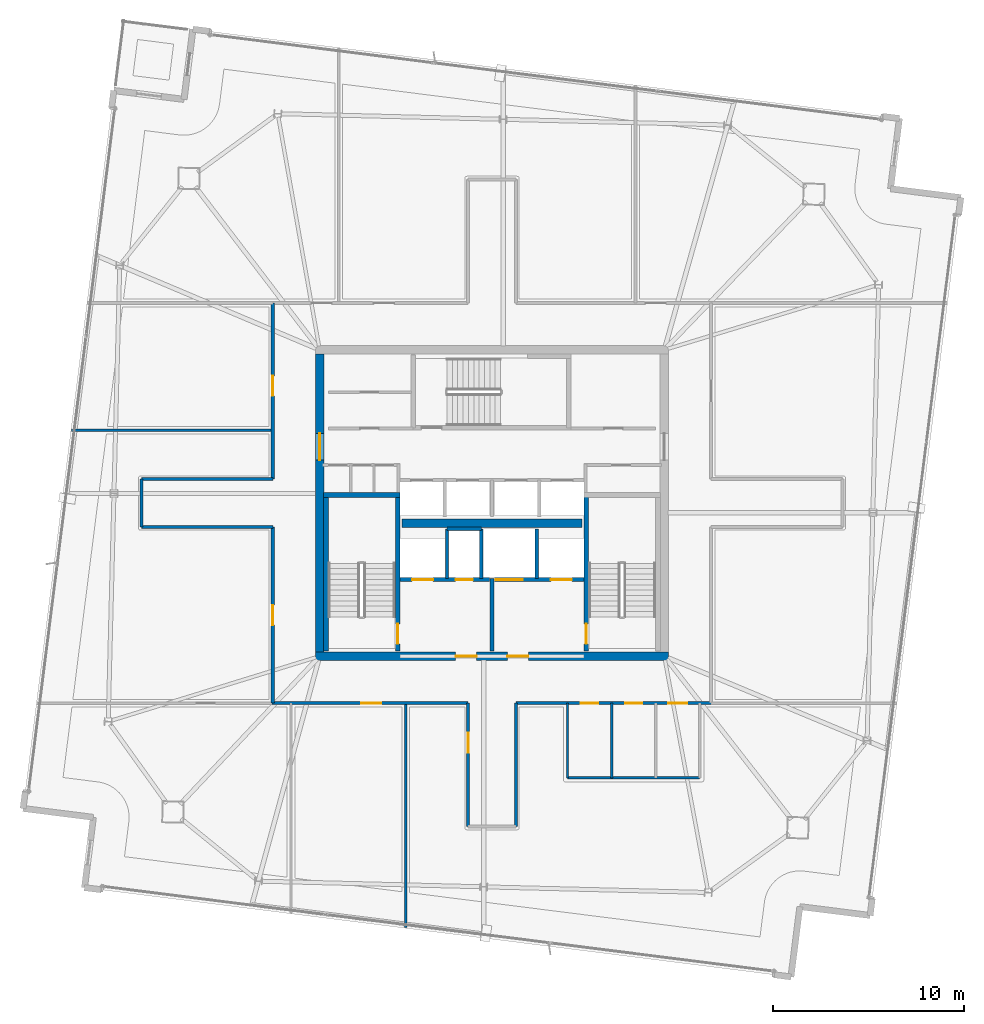
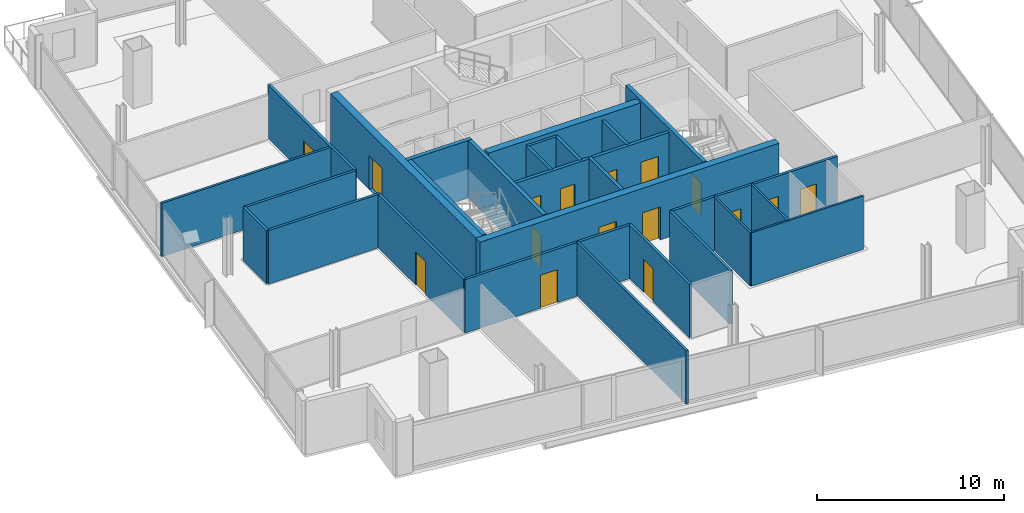
# One storey, part 18 of 23: 28 walls, 16 doors, 16 openings.
"""IFC4 building model written with IfcOpenShell, lengths in metres."""

from ifc_helpers import new_model, si_unit, direction, frame, frame_2d, origin, place, context, subcontext, project, spatial, rectangle, extrude, material, layer, layer_set, type_object, element, fill, save


model = new_model("IFC4")

# Units and contexts
model_context = context("Model", 3, precision=1e-05, world=origin(), true_north=direction((0.0, 1.0)))
body_context = subcontext(model_context, "Body", "Model", "MODEL_VIEW")
ifc_project = project(units=[si_unit("LENGTHUNIT", "METRE"), si_unit("AREAUNIT", "SQUARE_METRE"), si_unit("VOLUMEUNIT", "CUBIC_METRE"), si_unit("PLANEANGLEUNIT", "RADIAN"), si_unit("MASSUNIT", "GRAM", prefix="KILO")], contexts=[model_context])

# Site, building, storey
site_placement = place(None, origin())
site = spatial("IfcSite", under=ifc_project, at=site_placement, CompositionType="ELEMENT")
building_placement = place(site_placement, origin())
building = spatial("IfcBuilding", under=site, at=building_placement, Name="Haldenkirk Collegiate Tower", CompositionType="ELEMENT")
storey_placement = place(building_placement, frame((0.0, 0.0, 306.449951171875)))
storey = spatial("IfcBuildingStorey", under=building, at=storey_placement, Name="L77", CompositionType="ELEMENT", Elevation=306.449951171875)

# Wall, openings, doors
ifc_material_1 = material(Name="Concrete f'c 55 MPa", Category="concrete")
ifc_layer_1 = layer(ifc_material_1, 0.449951171875)
ifc_layer_set_1 = layer_set([ifc_layer_1], Name="Concrete f'c 55 MPa")
wall_type_1 = type_object("IfcWallType", Name="WL-CORE-450", PredefinedType="SHEAR", material=ifc_layer_set_1)
wall_1_placement = place(storey_placement, frame((26.77490234375, 18.0, 0.0), z_axis=(0.0, 0.0, 1.0), x_axis=(1.0, 0.0, 0.0)))
wall_1 = element("IfcWall", 1, at=wall_1_placement, inside=storey, type_object=wall_type_1, Name="L77 central core shear wall S", PredefinedType="SHEAR", context=body_context, shape_type="SweptSolid", body=[
    extrude(rectangle(XDim=18.4501953125, YDim=0.449951171875, at=frame_2d((9.22509765625, 0.0))), origin(), (0.0, 0.0, 1.0), 3.75),
])
opening_1_placement = place(wall_1_placement, frame((7.324951171875, 0.0, 0.0)))
opening_1 = element("IfcOpeningElement", 2, at=opening_1_placement, cuts=wall_1, Name="Opening D-02", PredefinedType="OPENING", context=body_context, shape_type="SweptSolid", body=[
    extrude(rectangle(XDim=1.10009765625, YDim=2.14990234375, at=frame_2d((0.550048828125, 1.074951171875))), frame((0.0, 0.23486328125, 0.0), z_axis=(0.0, -1.0, 0.0), x_axis=(1.0, 0.0, 0.0)), (0.0, 0.0, 1.0), 0.469970703125),
])
opening_2_placement = place(wall_1_placement, frame((10.02490234375, 0.0, 0.0)))
opening_2 = element("IfcOpeningElement", 3, at=opening_2_placement, cuts=wall_1, Name="Opening D-02", PredefinedType="OPENING", context=body_context, shape_type="SweptSolid", body=[
    extrude(rectangle(XDim=1.10009765625, YDim=2.14990234375, at=frame_2d((0.550048828125, 1.074951171875))), frame((0.0, 0.23486328125, 0.0), z_axis=(0.0, -1.0, 0.0), x_axis=(1.0, 0.0, 0.0)), (0.0, 0.0, 1.0), 0.469970703125),
])
ifc_material_2 = material(Name="Galvanized fire-rated hollow steel door", Category="steel")
ifc_layer_2 = layer(ifc_material_2, 0.06005859375)
ifc_layer_set_2 = layer_set([ifc_layer_2], Name="Galvanized fire-rated hollow steel door")
door_type_1 = type_object("IfcDoorType", Name="DR-STAIR-FD90-1100", OperationType="NOTDEFINED", PredefinedType="DOOR", material=ifc_layer_set_2)
door_1_placement = place(opening_1_placement, origin())
door_1 = element("IfcDoor", 4, at=door_1_placement, inside=storey, type_object=door_type_1, Name="L77 Firefighting Lobby 1 door", OperationType="SINGLE_SWING_LEFT", OverallHeight=2.14990234375, OverallWidth=1.10009765625, PredefinedType="DOOR", context=body_context, shape_type="SweptSolid", body=[
    extrude(rectangle(XDim=1.10009765625, YDim=2.14990234375, at=frame_2d((0.550048828125, 1.074951171875))), frame((0.0, 0.02490234375, 0.0), z_axis=(0.0, -1.0, 0.0), x_axis=(1.0, 0.0, 0.0)), (0.0, 0.0, 1.0), 0.050048828125),
])
fill(opening_1, door_1)
door_2_placement = place(opening_2_placement, origin())
door_2 = element("IfcDoor", 5, at=door_2_placement, inside=storey, type_object=door_type_1, Name="L77 Firefighting Lobby 2 door", OperationType="SINGLE_SWING_RIGHT", OverallHeight=2.14990234375, OverallWidth=1.10009765625, PredefinedType="DOOR", context=body_context, shape_type="SweptSolid", body=[
    extrude(rectangle(XDim=1.10009765625, YDim=2.14990234375, at=frame_2d((0.550048828125, 1.074951171875))), frame((0.0, 0.02490234375, 0.0), z_axis=(0.0, -1.0, 0.0), x_axis=(1.0, 0.0, 0.0)), (0.0, 0.0, 1.0), 0.050048828125),
])
fill(opening_2, door_2)

# Wall, opening, door
wall_2_placement = place(storey_placement, frame((27.0, 18.22509765625, 0.0), z_axis=(0.0, 0.0, 1.0), x_axis=(0.0, 1.0, 0.0)))
wall_2 = element("IfcWall", 6, at=wall_2_placement, inside=storey, type_object=wall_type_1, Name="L77 central core shear wall W", PredefinedType="SHEAR", context=body_context, shape_type="SweptSolid", body=[
    extrude(rectangle(XDim=15.5498046875, YDim=0.449951171875, at=frame_2d((7.77490234375, 0.0))), origin(), (0.0, 0.0, 1.0), 3.75),
])
opening_3_placement = place(wall_2_placement, frame((10.014892578125, 0.0, 0.0)))
opening_3 = element("IfcOpeningElement", 7, at=opening_3_placement, cuts=wall_2, Name="Opening D-03", PredefinedType="OPENING", context=body_context, shape_type="SweptSolid", body=[
    extrude(rectangle(XDim=1.39990234375, YDim=2.199951171875, at=frame_2d((0.699951171875, 1.10009765625))), frame((0.0, 0.23486328125, 0.0), z_axis=(0.0, -1.0, 0.0), x_axis=(1.0, 0.0, 0.0)), (0.0, 0.0, 1.0), 0.469970703125),
])
ifc_layer_3 = layer(ifc_material_2, 0.06005859375)
ifc_layer_set_3 = layer_set([ifc_layer_3], Name="Galvanized fire-rated hollow steel door")
door_type_2 = type_object("IfcDoorType", Name="DR-LOBBY-FD90-1400", OperationType="NOTDEFINED", PredefinedType="DOOR", material=ifc_layer_set_3)
door_3_placement = place(opening_3_placement, origin())
door_3 = element("IfcDoor", 8, at=door_3_placement, inside=storey, type_object=door_type_2, Name="L77 west lift lobby portal", OperationType="DOUBLE_DOOR_SINGLE_SWING", OverallHeight=2.199951171875, OverallWidth=1.39990234375, PredefinedType="DOOR", context=body_context, shape_type="SweptSolid", body=[
    extrude(rectangle(XDim=1.39990234375, YDim=2.199951171875, at=frame_2d((0.699951171875, 1.10009765625))), frame((0.0, 0.02490234375, 0.0), z_axis=(0.0, -1.0, 0.0), x_axis=(1.0, 0.0, 0.0)), (0.0, 0.0, 1.0), 0.050048828125),
])
fill(opening_3, door_3)

# Wall
wall_3_placement = place(storey_placement, frame((31.31005859375, 24.949951171875, 0.0), z_axis=(0.0, 0.0, 1.0), x_axis=(1.0, 0.0, 0.0)))
element("IfcWall", 9, at=wall_3_placement, inside=storey, type_object=wall_type_1, Name="L77 central core spine shear wall", PredefinedType="SHEAR", context=body_context, shape_type="SweptSolid", body=[
    extrude(rectangle(XDim=9.3798828125, YDim=0.449951171875, at=frame_2d((4.68994140625, 0.0))), origin(), (0.0, 0.0, 1.0), 3.75),
])

# Wall, opening, door
ifc_material_3 = material(Name="Acoustic fire-rated gypsum partition", Category="concrete")
ifc_layer_4 = layer(ifc_material_3, 0.159912109375)
ifc_layer_set_4 = layer_set([ifc_layer_4], Name="Acoustic fire-rated gypsum partition")
wall_type_2 = type_object("IfcWallType", Name="WL-INT-CORR-160", PredefinedType="PARTITIONING", material=ifc_layer_set_4)
wall_4_placement = place(storey_placement, frame((24.5, 15.550048828125, 0.0), z_axis=(0.0, 0.0, 1.0), x_axis=(1.0, 0.0, 0.0)))
wall_4 = element("IfcWall", 10, at=wall_4_placement, inside=storey, type_object=wall_type_2, Name="L77 interior partition IW-L77-CS1", PredefinedType="PARTITIONING", context=body_context, shape_type="SweptSolid", body=[
    extrude(rectangle(XDim=10.25, YDim=0.159912109375, at=frame_2d((5.125, 0.0))), origin(), (0.0, 0.0, 1.0), 3.489990234375),
])
opening_4_placement = place(wall_4_placement, frame((4.675048828125, 0.0, 0.0)))
opening_4 = element("IfcOpeningElement", 11, at=opening_4_placement, cuts=wall_4, Name="Opening D-09", PredefinedType="OPENING", context=body_context, shape_type="SweptSolid", body=[
    extrude(rectangle(XDim=1.050048828125, YDim=2.14990234375, at=frame_2d((0.52490234375, 1.074951171875))), frame((0.0, 0.08984375, 0.0), z_axis=(0.0, -1.0, 0.0), x_axis=(1.0, 0.0, 0.0)), (0.0, 0.0, 1.0), 0.179931640625),
])
ifc_material_4 = material(Name="Solid-core architectural oak fire door", Category="wood")
ifc_layer_5 = layer(ifc_material_4, 0.06005859375)
ifc_layer_set_5 = layer_set([ifc_layer_5], Name="Solid-core architectural oak fire door")
door_type_3 = type_object("IfcDoorType", Name="DR-INT-FD60-1050", OperationType="NOTDEFINED", PredefinedType="DOOR", material=ifc_layer_set_5)
door_4_placement = place(opening_4_placement, origin())
door_4 = element("IfcDoor", 12, at=door_4_placement, inside=storey, type_object=door_type_3, Name="L77 Academic Counseling Clinic 2 door", OperationType="SINGLE_SWING_RIGHT", OverallHeight=2.14990234375, OverallWidth=1.050048828125, PredefinedType="DOOR", context=body_context, shape_type="SweptSolid", body=[
    extrude(rectangle(XDim=1.050048828125, YDim=2.14990234375, at=frame_2d((0.52490234375, 1.074951171875))), frame((0.0, 0.02490234375, 0.0), z_axis=(0.0, -1.0, 0.0), x_axis=(1.0, 0.0, 0.0)), (0.0, 0.0, 1.0), 0.050048828125),
])
fill(opening_4, door_4)

# Wall, openings, doors
wall_5_placement = place(storey_placement, frame((37.25, 15.550048828125, 0.0), z_axis=(0.0, 0.0, 1.0), x_axis=(1.0, 0.0, 0.0)))
wall_5 = element("IfcWall", 13, at=wall_5_placement, inside=storey, type_object=wall_type_2, Name="L77 interior partition IW-L77-CS2", PredefinedType="PARTITIONING", context=body_context, shape_type="SweptSolid", body=[
    extrude(rectangle(XDim=10.25, YDim=0.159912109375, at=frame_2d((5.125, 0.0))), origin(), (0.0, 0.0, 1.0), 3.489990234375),
])
opening_5_placement = place(wall_5_placement, frame((3.39990234375, 0.0, 0.0)))
opening_5 = element("IfcOpeningElement", 14, at=opening_5_placement, cuts=wall_5, Name="Opening D-13", PredefinedType="OPENING", context=body_context, shape_type="SweptSolid", body=[
    extrude(rectangle(XDim=0.89990234375, YDim=2.14990234375, at=frame_2d((0.449951171875, 1.074951171875))), frame((0.0, 0.08984375, 0.0), z_axis=(0.0, -1.0, 0.0), x_axis=(1.0, 0.0, 0.0)), (0.0, 0.0, 1.0), 0.179931640625),
])
opening_6_placement = place(wall_5_placement, frame((5.699951171875, 0.0, 0.0)))
opening_6 = element("IfcOpeningElement", 15, at=opening_6_placement, cuts=wall_5, Name="Opening D-13", PredefinedType="OPENING", context=body_context, shape_type="SweptSolid", body=[
    extrude(rectangle(XDim=0.89990234375, YDim=2.14990234375, at=frame_2d((0.449951171875, 1.074951171875))), frame((0.0, 0.08984375, 0.0), z_axis=(0.0, -1.0, 0.0), x_axis=(1.0, 0.0, 0.0)), (0.0, 0.0, 1.0), 0.179931640625),
])
opening_7_placement = place(wall_5_placement, frame((7.949951171875, 0.0, 0.0)))
opening_7 = element("IfcOpeningElement", 16, at=opening_7_placement, cuts=wall_5, Name="Opening D-14", PredefinedType="OPENING", context=body_context, shape_type="SweptSolid", body=[
    extrude(rectangle(XDim=1.0, YDim=2.14990234375, at=frame_2d((0.5, 1.074951171875))), frame((0.0, 0.08984375, 0.0), z_axis=(0.0, -1.0, 0.0), x_axis=(1.0, 0.0, 0.0)), (0.0, 0.0, 1.0), 0.179931640625),
])
ifc_layer_6 = layer(ifc_material_4, 0.06005859375)
ifc_layer_set_6 = layer_set([ifc_layer_6], Name="Solid-core architectural oak fire door")
door_type_4 = type_object("IfcDoorType", Name="DR-INT-ACC-1000", OperationType="NOTDEFINED", PredefinedType="DOOR", material=ifc_layer_set_6)
door_5_placement = place(opening_7_placement, origin())
door_5 = element("IfcDoor", 17, at=door_5_placement, inside=storey, type_object=door_type_4, Name="L77 Accessible WC door", OperationType="SINGLE_SWING_RIGHT", OverallHeight=2.14990234375, OverallWidth=1.0, PredefinedType="DOOR", context=body_context, shape_type="SweptSolid", body=[
    extrude(rectangle(XDim=1.0, YDim=2.14990234375, at=frame_2d((0.5, 1.074951171875))), frame((0.0, 0.02490234375, 0.0), z_axis=(0.0, -1.0, 0.0), x_axis=(1.0, 0.0, 0.0)), (0.0, 0.0, 1.0), 0.050048828125),
])
fill(opening_7, door_5)
ifc_layer_7 = layer(ifc_material_4, 0.06005859375)
ifc_layer_set_7 = layer_set([ifc_layer_7], Name="Solid-core architectural oak fire door")
door_type_5 = type_object("IfcDoorType", Name="DR-INT-STD-900", OperationType="NOTDEFINED", PredefinedType="DOOR", material=ifc_layer_set_7)
door_6_placement = place(opening_5_placement, origin())
door_6 = element("IfcDoor", 18, at=door_6_placement, inside=storey, type_object=door_type_5, Name="L77 Male WC door", OperationType="SINGLE_SWING_RIGHT", OverallHeight=2.14990234375, OverallWidth=0.89990234375, PredefinedType="DOOR", context=body_context, shape_type="SweptSolid", body=[
    extrude(rectangle(XDim=0.89990234375, YDim=2.14990234375, at=frame_2d((0.449951171875, 1.074951171875))), frame((0.0, 0.02490234375, 0.0), z_axis=(0.0, -1.0, 0.0), x_axis=(1.0, 0.0, 0.0)), (0.0, 0.0, 1.0), 0.050048828125),
])
fill(opening_5, door_6)
door_7_placement = place(opening_6_placement, origin())
door_7 = element("IfcDoor", 19, at=door_7_placement, inside=storey, type_object=door_type_5, Name="L77 Female WC door", OperationType="SINGLE_SWING_LEFT", OverallHeight=2.14990234375, OverallWidth=0.89990234375, PredefinedType="DOOR", context=body_context, shape_type="SweptSolid", body=[
    extrude(rectangle(XDim=0.89990234375, YDim=2.14990234375, at=frame_2d((0.449951171875, 1.074951171875))), frame((0.0, 0.02490234375, 0.0), z_axis=(0.0, -1.0, 0.0), x_axis=(1.0, 0.0, 0.0)), (0.0, 0.0, 1.0), 0.050048828125),
])
fill(opening_6, door_7)

# Wall, opening, door
wall_6_placement = place(storey_placement, frame((24.550048828125, 15.550048828125, 0.0), z_axis=(0.0, 0.0, 1.0), x_axis=(0.0, 1.0, 0.0)))
wall_6 = element("IfcWall", 20, at=wall_6_placement, inside=storey, type_object=wall_type_2, Name="L77 interior partition IW-L77-CW1", PredefinedType="PARTITIONING", context=body_context, shape_type="SweptSolid", body=[
    extrude(rectangle(XDim=9.199951171875, YDim=0.159912109375, at=frame_2d((4.60009765625, 0.0))), origin(), (0.0, 0.0, 1.0), 3.489990234375),
])
opening_8_placement = place(wall_6_placement, frame((4.074951171875, 0.0, 0.0)))
opening_8 = element("IfcOpeningElement", 21, at=opening_8_placement, cuts=wall_6, Name="Opening D-09", PredefinedType="OPENING", context=body_context, shape_type="SweptSolid", body=[
    extrude(rectangle(XDim=1.050048828125, YDim=2.14990234375, at=frame_2d((0.52490234375, 1.074951171875))), frame((0.0, 0.08984375, 0.0), z_axis=(0.0, -1.0, 0.0), x_axis=(1.0, 0.0, 0.0)), (0.0, 0.0, 1.0), 0.179931640625),
])
door_8_placement = place(opening_8_placement, origin())
door_8 = element("IfcDoor", 22, at=door_8_placement, inside=storey, type_object=door_type_3, Name="L77 Student Wellness Clinic 7 door", OperationType="SINGLE_SWING_LEFT", OverallHeight=2.14990234375, OverallWidth=1.050048828125, PredefinedType="DOOR", context=body_context, shape_type="SweptSolid", body=[
    extrude(rectangle(XDim=1.050048828125, YDim=2.14990234375, at=frame_2d((0.52490234375, 1.074951171875))), frame((0.0, 0.02490234375, 0.0), z_axis=(0.0, -1.0, 0.0), x_axis=(1.0, 0.0, 0.0)), (0.0, 0.0, 1.0), 0.050048828125),
])
fill(opening_8, door_8)

wall_7_placement = place(storey_placement, frame((24.550048828125, 27.25, 0.0), z_axis=(0.0, 0.0, 1.0), x_axis=(0.0, 1.0, 0.0)))
wall_7 = element("IfcWall", 23, at=wall_7_placement, inside=storey, type_object=wall_type_2, Name="L77 interior partition IW-L77-CW2", PredefinedType="PARTITIONING", context=body_context, shape_type="SweptSolid", body=[
    extrude(rectangle(XDim=9.199951171875, YDim=0.159912109375, at=frame_2d((4.60009765625, 0.0))), origin(), (0.0, 0.0, 1.0), 3.489990234375),
])
opening_9_placement = place(wall_7_placement, frame((4.345947265625, 0.0, 0.0)))
opening_9 = element("IfcOpeningElement", 24, at=opening_9_placement, cuts=wall_7, Name="Opening D-09", PredefinedType="OPENING", context=body_context, shape_type="SweptSolid", body=[
    extrude(rectangle(XDim=1.050048828125, YDim=2.14990234375, at=frame_2d((0.52490234375, 1.074951171875))), frame((0.0, 0.08984375, 0.0), z_axis=(0.0, -1.0, 0.0), x_axis=(1.0, 0.0, 0.0)), (0.0, 0.0, 1.0), 0.179931640625),
])
door_9_placement = place(opening_9_placement, origin())
door_9 = element("IfcDoor", 25, at=door_9_placement, inside=storey, type_object=door_type_3, Name="L77 Academic Counseling Clinic 8 door", OperationType="SINGLE_SWING_RIGHT", OverallHeight=2.14990234375, OverallWidth=1.050048828125, PredefinedType="DOOR", context=body_context, shape_type="SweptSolid", body=[
    extrude(rectangle(XDim=1.050048828125, YDim=2.14990234375, at=frame_2d((0.52490234375, 1.074951171875))), frame((0.0, 0.02490234375, 0.0), z_axis=(0.0, -1.0, 0.0), x_axis=(1.0, 0.0, 0.0)), (0.0, 0.0, 1.0), 0.050048828125),
])
fill(opening_9, door_9)

wall_8_placement = place(storey_placement, frame((34.75, 9.10009765625, 0.0), z_axis=(0.0, 0.0, 1.0), x_axis=(0.0, 1.0, 0.0)))
wall_8 = element("IfcWall", 26, at=wall_8_placement, inside=storey, type_object=wall_type_2, Name="L77 interior partition IW-L77-SPW", PredefinedType="PARTITIONING", context=body_context, shape_type="SweptSolid", body=[
    extrude(rectangle(XDim=6.449951171875, YDim=0.159912109375, at=frame_2d((3.22509765625, 0.0))), origin(), (0.0, 0.0, 1.0), 3.489990234375),
])
opening_10_placement = place(wall_8_placement, frame((3.861083984375, 0.0, 0.0)))
opening_10 = element("IfcOpeningElement", 27, at=opening_10_placement, cuts=wall_8, Name="Opening D-09", PredefinedType="OPENING", context=body_context, shape_type="SweptSolid", body=[
    extrude(rectangle(XDim=1.050048828125, YDim=2.14990234375, at=frame_2d((0.52490234375, 1.074951171875))), frame((0.0, 0.08984375, 0.0), z_axis=(0.0, -1.0, 0.0), x_axis=(1.0, 0.0, 0.0)), (0.0, 0.0, 1.0), 0.179931640625),
])
door_10_placement = place(opening_10_placement, origin())
door_10 = element("IfcDoor", 28, at=door_10_placement, inside=storey, type_object=door_type_3, Name="L77 Ergonomics Clinic 3 door", OperationType="SINGLE_SWING_LEFT", OverallHeight=2.14990234375, OverallWidth=1.050048828125, PredefinedType="DOOR", context=body_context, shape_type="SweptSolid", body=[
    extrude(rectangle(XDim=1.050048828125, YDim=2.14990234375, at=frame_2d((0.52490234375, 1.074951171875))), frame((0.0, 0.02490234375, 0.0), z_axis=(0.0, -1.0, 0.0), x_axis=(1.0, 0.0, 0.0)), (0.0, 0.0, 1.0), 0.050048828125),
])
fill(opening_10, door_10)

# Walls
wall_9_placement = place(storey_placement, frame((37.25, 9.10009765625, 0.0), z_axis=(0.0, 0.0, 1.0), x_axis=(0.0, 1.0, 0.0)))
element("IfcWall", 29, at=wall_9_placement, inside=storey, type_object=wall_type_2, Name="L77 interior partition IW-L77-SPE", PredefinedType="PARTITIONING", context=body_context, shape_type="SweptSolid", body=[
    extrude(rectangle(XDim=6.449951171875, YDim=0.159912109375, at=frame_2d((3.22509765625, 0.0))), origin(), (0.0, 0.0, 1.0), 3.489990234375),
])
for number, where, z_axis, x_axis, name in (
    (30, (17.699951171875, 24.75, 0.0), (0.0, 0.0, 1.0), (1.0, 0.0, 0.0), "L77 interior partition IW-L77-WPS"),
    (31, (17.699951171875, 27.25, 0.0), (0.0, 0.0, 1.0), (1.0, 0.0, 0.0), "L77 interior partition IW-L77-WPN"),
):
    element("IfcWall", number, at=place(storey_placement, frame(where, z_axis=z_axis, x_axis=x_axis)), inside=storey, type_object=wall_type_2, Name=name, PredefinedType="PARTITIONING", context=body_context, shape_type="SweptSolid", body=[
        extrude(rectangle(XDim=6.85009765625, YDim=0.159912109375, at=frame_2d((3.425048828125, 0.0))), origin(), (0.0, 0.0, 1.0), 3.489990234375),
    ])
wall_10_placement = place(storey_placement, frame((17.699951171875, 24.75, 0.0), z_axis=(0.0, 0.0, 1.0), x_axis=(0.0, 1.0, 0.0)))
element("IfcWall", 32, at=wall_10_placement, inside=storey, type_object=wall_type_2, Name="L77 interior partition IW-L77-WPW", PredefinedType="PARTITIONING", context=body_context, shape_type="SweptSolid", body=[
    extrude(rectangle(XDim=2.5, YDim=0.159912109375, at=frame_2d((1.25, 0.0))), origin(), (0.0, 0.0, 1.0), 3.489990234375),
])
ifc_layer_8 = layer(ifc_material_3, 0.139892578125)
ifc_layer_set_8 = layer_set([ifc_layer_8], Name="Acoustic fire-rated gypsum partition")
wall_type_3 = type_object("IfcWallType", Name="WL-INT-DIV-140", PredefinedType="PARTITIONING", material=ifc_layer_set_8)
wall_11_placement = place(storey_placement, frame((31.5, 3.8291015625, 0.0), z_axis=(0.0, 0.0, 1.0), x_axis=(0.0, 1.0, 0.0)))
element("IfcWall", 33, at=wall_11_placement, inside=storey, type_object=wall_type_3, Name="L77 interior partition IW-L77-RS2", PredefinedType="PARTITIONING", context=body_context, shape_type="SweptSolid", body=[
    extrude(rectangle(XDim=11.720947265625, YDim=0.139892578125, at=frame_2d((5.8603515625, 0.0))), origin(), (0.0, 0.0, 1.0), 3.489990234375),
])
wall_12_placement = place(storey_placement, frame((14.043212890625, 29.800048828125, 0.0), z_axis=(0.0, 0.0, 1.0), x_axis=(1.0, 0.0, 0.0)))
element("IfcWall", 34, at=wall_12_placement, inside=storey, type_object=wall_type_3, Name="L77 interior partition IW-L77-RW1", PredefinedType="PARTITIONING", context=body_context, shape_type="SweptSolid", body=[
    extrude(rectangle(XDim=10.5068359375, YDim=0.139892578125, at=frame_2d((5.25341796875, 0.0))), origin(), (0.0, 0.0, 1.0), 3.489990234375),
])
ifc_material_5 = material(Name="Fire-rated gypsum shaftboard assembly", Category="concrete")
ifc_layer_9 = layer(ifc_material_5, 0.179931640625)
ifc_layer_set_9 = layer_set([ifc_layer_9], Name="Fire-rated gypsum shaftboard assembly")
wall_type_4 = type_object("IfcWallType", Name="WL-INT-SHAFT-180", PredefinedType="PARTITIONING", material=ifc_layer_set_9)
for number, where, z_axis, x_axis, name in (
    (35, (33.64990234375, 22.050048828125, 0.0), (0.0, 0.0, 1.0), (0.0, 1.0, 0.0), "L77 interior partition IW-L77-FL1E"),
    (36, (35.449951171875, 22.050048828125, 0.0), (0.0, 0.0, 1.0), (0.0, 1.0, 0.0), "L77 interior partition IW-L77-GL1W"),
):
    element("IfcWall", number, at=place(storey_placement, frame(where, z_axis=z_axis, x_axis=x_axis)), inside=storey, type_object=wall_type_4, Name=name, PredefinedType="PARTITIONING", context=body_context, shape_type="SweptSolid", body=[
        extrude(rectangle(XDim=2.599853515625, YDim=0.179931640625, at=frame_2d((1.2998046875, 0.0))), origin(), (0.0, 0.0, 1.0), 3.489990234375),
    ])
wall_13_placement = place(storey_placement, frame((33.64990234375, 24.64990234375, 0.0), z_axis=(0.0, 0.0, 1.0), x_axis=(1.0, 0.0, 0.0)))
element("IfcWall", 37, at=wall_13_placement, inside=storey, type_object=wall_type_4, Name="L77 interior partition IW-L77-RSRN", PredefinedType="PARTITIONING", context=body_context, shape_type="SweptSolid", body=[
    extrude(rectangle(XDim=1.800048828125, YDim=0.179931640625, at=frame_2d((0.89990234375, 0.0))), origin(), (0.0, 0.0, 1.0), 3.489990234375),
])
wall_14_placement = place(storey_placement, frame((38.35009765625, 22.050048828125, 0.0), z_axis=(0.0, 0.0, 1.0), x_axis=(0.0, 1.0, 0.0)))
element("IfcWall", 38, at=wall_14_placement, inside=storey, type_object=wall_type_4, Name="L77 interior partition IW-L77-GL1E", PredefinedType="PARTITIONING", context=body_context, shape_type="SweptSolid", body=[
    extrude(rectangle(XDim=2.599853515625, YDim=0.179931640625, at=frame_2d((1.2998046875, 0.0))), origin(), (0.0, 0.0, 1.0), 3.489990234375),
])
ifc_layer_10 = layer(ifc_material_5, 0.199951171875)
ifc_layer_set_10 = layer_set([ifc_layer_10], Name="Fire-rated gypsum shaftboard assembly")
wall_type_5 = type_object("IfcWallType", Name="WL-INT-SHAFT-200", PredefinedType="PARTITIONING", material=ifc_layer_set_10)
wall_15_placement = place(storey_placement, frame((36.0, 18.280029296875, 0.0), z_axis=(0.0, 0.0, 1.0), x_axis=(0.0, 1.0, 0.0)))
element("IfcWall", 39, at=wall_15_placement, inside=storey, type_object=wall_type_5, Name="L77 interior partition IW-L77-FFLM", PredefinedType="PARTITIONING", context=body_context, shape_type="SweptSolid", body=[
    extrude(rectangle(XDim=3.77001953125, YDim=0.199951171875, at=frame_2d((1.885009765625, 0.0))), origin(), (0.0, 0.0, 1.0), 3.489990234375),
])

# Wall, openings, doors
wall_16_placement = place(storey_placement, frame((31.18994140625, 22.0, 0.0), z_axis=(0.0, 0.0, 1.0), x_axis=(1.0, 0.0, 0.0)))
wall_16 = element("IfcWall", 40, at=wall_16_placement, inside=storey, type_object=wall_type_5, Name="L77 interior partition IW-L77-FFL1N", PredefinedType="PARTITIONING", context=body_context, shape_type="SweptSolid", body=[
    extrude(rectangle(XDim=4.68994140625, YDim=0.199951171875, at=frame_2d((2.344970703125, 0.0))), origin(), (0.0, 0.0, 1.0), 3.489990234375),
])
opening_11_placement = place(wall_16_placement, frame((2.909912109375, 0.0, 0.0)))
opening_11 = element("IfcOpeningElement", 41, at=opening_11_placement, cuts=wall_16, Name="Opening D-06", PredefinedType="OPENING", context=body_context, shape_type="SweptSolid", body=[
    extrude(rectangle(XDim=0.89990234375, YDim=2.14990234375, at=frame_2d((0.449951171875, 1.074951171875))), frame((0.0, 0.10986328125, 0.0), z_axis=(0.0, -1.0, 0.0), x_axis=(1.0, 0.0, 0.0)), (0.0, 0.0, 1.0), 0.219970703125),
])
opening_12_placement = place(wall_16_placement, frame((0.635009765625, 0.0, 0.0)))
opening_12 = element("IfcOpeningElement", 42, at=opening_12_placement, cuts=wall_16, Name="Opening LD-12", PredefinedType="OPENING", context=body_context, shape_type="SweptSolid", body=[
    extrude(rectangle(XDim=1.10009765625, YDim=2.14990234375, at=frame_2d((0.550048828125, 1.074951171875))), frame((0.0, 0.10986328125, 0.0), z_axis=(0.0, -1.0, 0.0), x_axis=(1.0, 0.0, 0.0)), (0.0, 0.0, 1.0), 0.219970703125),
])
ifc_layer_11 = layer(ifc_material_2, 0.06005859375)
ifc_layer_set_11 = layer_set([ifc_layer_11], Name="Galvanized fire-rated hollow steel door")
door_type_6 = type_object("IfcDoorType", Name="DR-INT-FD90-900", OperationType="NOTDEFINED", PredefinedType="DOOR", material=ifc_layer_set_11)
door_11_placement = place(opening_11_placement, origin())
door_11 = element("IfcDoor", 43, at=door_11_placement, inside=storey, type_object=door_type_6, Name="L77 electrical riser door", OperationType="SINGLE_SWING_LEFT", OverallHeight=2.14990234375, OverallWidth=0.89990234375, PredefinedType="DOOR", context=body_context, shape_type="SweptSolid", body=[
    extrude(rectangle(XDim=0.89990234375, YDim=2.14990234375, at=frame_2d((0.449951171875, 1.074951171875))), frame((0.0, 0.02490234375, 0.0), z_axis=(0.0, -1.0, 0.0), x_axis=(1.0, 0.0, 0.0)), (0.0, 0.0, 1.0), 0.050048828125),
])
fill(opening_11, door_11)
ifc_material_6 = material(Name="Brushed architectural stainless steel", Category="steel")
ifc_layer_12 = layer(ifc_material_6, 0.06005859375)
ifc_layer_set_12 = layer_set([ifc_layer_12], Name="Brushed architectural stainless steel")
door_type_7 = type_object("IfcDoorType", Name="LD-FIRE-1100", OperationType="NOTDEFINED", PredefinedType="DOOR", material=ifc_layer_set_12)
door_12_placement = place(opening_12_placement, origin())
door_12 = element("IfcDoor", 44, at=door_12_placement, inside=storey, type_object=door_type_7, Name="L77 Elevator FL1 sliding landing door", OperationType="SLIDING_TO_LEFT", OverallHeight=2.14990234375, OverallWidth=1.10009765625, PredefinedType="DOOR", context=body_context, shape_type="SweptSolid", body=[
    extrude(rectangle(XDim=1.10009765625, YDim=2.14990234375, at=frame_2d((0.550048828125, 1.074951171875))), frame((0.0, 0.02490234375, 0.0), z_axis=(0.0, -1.0, 0.0), x_axis=(1.0, 0.0, 0.0)), (0.0, 0.0, 1.0), 0.050048828125),
])
fill(opening_12, door_12)

wall_17_placement = place(storey_placement, frame((36.1201171875, 22.0, 0.0), z_axis=(0.0, 0.0, 1.0), x_axis=(1.0, 0.0, 0.0)))
wall_17 = element("IfcWall", 45, at=wall_17_placement, inside=storey, type_object=wall_type_5, Name="L77 interior partition IW-L77-FFL2N", PredefinedType="PARTITIONING", context=body_context, shape_type="SweptSolid", body=[
    extrude(rectangle(XDim=4.68994140625, YDim=0.199951171875, at=frame_2d((2.344970703125, 0.0))), origin(), (0.0, 0.0, 1.0), 3.489990234375),
])
opening_13_placement = place(wall_17_placement, frame((2.955078125, 0.0, 0.0)))
opening_13 = element("IfcOpeningElement", 46, at=opening_13_placement, cuts=wall_17, Name="Opening LD-12", PredefinedType="OPENING", context=body_context, shape_type="SweptSolid", body=[
    extrude(rectangle(XDim=1.10009765625, YDim=2.14990234375, at=frame_2d((0.550048828125, 1.074951171875))), frame((0.0, 0.10986328125, 0.0), z_axis=(0.0, -1.0, 0.0), x_axis=(1.0, 0.0, 0.0)), (0.0, 0.0, 1.0), 0.219970703125),
])
opening_14_placement = place(wall_17_placement, frame((0.080078125, 0.0, 0.0)))
opening_14 = element("IfcOpeningElement", 47, at=opening_14_placement, cuts=wall_17, Name="Opening LD-13", PredefinedType="OPENING", context=body_context, shape_type="SweptSolid", body=[
    extrude(rectangle(XDim=1.39990234375, YDim=2.199951171875, at=frame_2d((0.699951171875, 1.10009765625))), frame((0.0, 0.10986328125, 0.0), z_axis=(0.0, -1.0, 0.0), x_axis=(1.0, 0.0, 0.0)), (0.0, 0.0, 1.0), 0.219970703125),
])
door_13_placement = place(opening_13_placement, origin())
door_13 = element("IfcDoor", 48, at=door_13_placement, inside=storey, type_object=door_type_7, Name="L77 Elevator FL2 sliding landing door", OperationType="SLIDING_TO_LEFT", OverallHeight=2.14990234375, OverallWidth=1.10009765625, PredefinedType="DOOR", context=body_context, shape_type="SweptSolid", body=[
    extrude(rectangle(XDim=1.10009765625, YDim=2.14990234375, at=frame_2d((0.550048828125, 1.074951171875))), frame((0.0, 0.02490234375, 0.0), z_axis=(0.0, -1.0, 0.0), x_axis=(1.0, 0.0, 0.0)), (0.0, 0.0, 1.0), 0.050048828125),
])
fill(opening_13, door_13)
ifc_layer_13 = layer(ifc_material_6, 0.06005859375)
ifc_layer_set_13 = layer_set([ifc_layer_13], Name="Brushed architectural stainless steel")
door_type_8 = type_object("IfcDoorType", Name="LD-GOODS-1400", OperationType="NOTDEFINED", PredefinedType="DOOR", material=ifc_layer_set_13)
door_14_placement = place(opening_14_placement, origin())
door_14 = element("IfcDoor", 49, at=door_14_placement, inside=storey, type_object=door_type_8, Name="L77 Elevator GL1 sliding landing door", OperationType="SLIDING_TO_LEFT", OverallHeight=2.199951171875, OverallWidth=1.39990234375, PredefinedType="DOOR", context=body_context, shape_type="SweptSolid", body=[
    extrude(rectangle(XDim=1.39990234375, YDim=2.199951171875, at=frame_2d((0.699951171875, 1.10009765625))), frame((0.0, 0.02490234375, 0.0), z_axis=(0.0, -1.0, 0.0), x_axis=(1.0, 0.0, 0.0)), (0.0, 0.0, 1.0), 0.050048828125),
])
fill(opening_14, door_14)

# Walls
ifc_layer_14 = layer(ifc_material_3, 0.1201171875)
ifc_layer_set_14 = layer_set([ifc_layer_14], Name="Acoustic fire-rated gypsum partition")
wall_type_6 = type_object("IfcWallType", Name="WL-INT-WET-120", PredefinedType="PARTITIONING", material=ifc_layer_set_14)
for number, where, z_axis, x_axis, name in (
    (50, (39.949951171875, 11.64990234375, 0.0), (0.0, 0.0, 1.0), (0.0, 1.0, 0.0), "L77 interior partition IW-L77-WCW"),
    (51, (42.25, 11.64990234375, 0.0), (0.0, 0.0, 1.0), (0.0, 1.0, 0.0), "L77 interior partition IW-L77-WC1"),
):
    element("IfcWall", number, at=place(storey_placement, frame(where, z_axis=z_axis, x_axis=x_axis)), inside=storey, type_object=wall_type_6, Name=name, PredefinedType="PARTITIONING", context=body_context, shape_type="SweptSolid", body=[
        extrude(rectangle(XDim=3.900146484375, YDim=0.1201171875, at=frame_2d((1.9501953125, 0.0))), origin(), (0.0, 0.0, 1.0), 3.489990234375),
    ])
wall_18_placement = place(storey_placement, frame((39.949951171875, 11.64990234375, 0.0), z_axis=(0.0, 0.0, 1.0), x_axis=(1.0, 0.0, 0.0)))
element("IfcWall", 52, at=wall_18_placement, inside=storey, type_object=wall_type_6, Name="L77 interior partition IW-L77-WCB", PredefinedType="PARTITIONING", context=body_context, shape_type="SweptSolid", body=[
    extrude(rectangle(XDim=6.900146484375, YDim=0.1201171875, at=frame_2d((3.4501953125, 0.0))), origin(), (0.0, 0.0, 1.0), 3.489990234375),
])

# Wall, opening, door
ifc_layer_15 = layer(ifc_material_1, 0.239990234375)
ifc_layer_set_15 = layer_set([ifc_layer_15], Name="Concrete f'c 55 MPa")
wall_type_7 = type_object("IfcWallType", Name="WL-SHAFT-240", PredefinedType="SHEAR", material=ifc_layer_set_15)
wall_19_placement = place(storey_placement, frame((31.070068359375, 18.280029296875, 0.0), z_axis=(0.0, 0.0, 1.0), x_axis=(0.0, 1.0, 0.0)))
wall_19 = element("IfcWall", 53, at=wall_19_placement, inside=storey, type_object=wall_type_7, Name="L77 stair shaft shear wall SW-L77-ST1E", PredefinedType="SHEAR", context=body_context, shape_type="SweptSolid", body=[
    extrude(rectangle(XDim=8.260009765625, YDim=0.239990234375, at=frame_2d((4.1298828125, 0.0))), origin(), (0.0, 0.0, 1.0), 3.75),
])
opening_15_placement = place(wall_19_placement, frame((0.364990234375, 0.0, 0.0)))
opening_15 = element("IfcOpeningElement", 54, at=opening_15_placement, cuts=wall_19, Name="Opening D-01", PredefinedType="OPENING", context=body_context, shape_type="SweptSolid", body=[
    extrude(rectangle(XDim=1.050048828125, YDim=2.14990234375, at=frame_2d((0.52490234375, 1.074951171875))), frame((0.0, 0.1298828125, 0.0), z_axis=(0.0, -1.0, 0.0), x_axis=(1.0, 0.0, 0.0)), (0.0, 0.0, 1.0), 0.260009765625),
])
ifc_layer_16 = layer(ifc_material_2, 0.06005859375)
ifc_layer_set_16 = layer_set([ifc_layer_16], Name="Galvanized fire-rated hollow steel door")
door_type_9 = type_object("IfcDoorType", Name="DR-STAIR-FD90-1050", OperationType="NOTDEFINED", PredefinedType="DOOR", material=ifc_layer_set_16)
door_15_placement = place(opening_15_placement, origin())
door_15 = element("IfcDoor", 55, at=door_15_placement, inside=storey, type_object=door_type_9, Name="L77 Stair 1 door", OperationType="SINGLE_SWING_LEFT", OverallHeight=2.14990234375, OverallWidth=1.050048828125, PredefinedType="DOOR", context=body_context, shape_type="SweptSolid", body=[
    extrude(rectangle(XDim=1.050048828125, YDim=2.14990234375, at=frame_2d((0.52490234375, 1.074951171875))), frame((0.0, 0.02490234375, 0.0), z_axis=(0.0, -1.0, 0.0), x_axis=(1.0, 0.0, 0.0)), (0.0, 0.0, 1.0), 0.050048828125),
])
fill(opening_15, door_15)

# Walls
wall_20_placement = place(storey_placement, frame((27.2099609375, 26.419921875, 0.0), z_axis=(0.0, 0.0, 1.0), x_axis=(1.0, 0.0, 0.0)))
element("IfcWall", 56, at=wall_20_placement, inside=storey, type_object=wall_type_7, Name="L77 stair shaft shear wall SW-L77-ST1N", PredefinedType="SHEAR", context=body_context, shape_type="SweptSolid", body=[
    extrude(rectangle(XDim=3.97998046875, YDim=0.239990234375, at=frame_2d((1.989990234375, 0.0))), origin(), (0.0, 0.0, 1.0), 3.75),
])
wall_21_placement = place(storey_placement, frame((27.330078125, 18.280029296875, 0.0), z_axis=(0.0, 0.0, 1.0), x_axis=(0.0, 1.0, 0.0)))
element("IfcWall", 57, at=wall_21_placement, inside=storey, type_object=wall_type_7, Name="L77 stair shaft shear wall SW-L77-ST1W", PredefinedType="SHEAR", context=body_context, shape_type="SweptSolid", body=[
    extrude(rectangle(XDim=8.260009765625, YDim=0.239990234375, at=frame_2d((4.1298828125, 0.0))), origin(), (0.0, 0.0, 1.0), 3.75),
])

# Wall, opening, door
wall_22_placement = place(storey_placement, frame((40.929931640625, 18.280029296875, 0.0), z_axis=(0.0, 0.0, 1.0), x_axis=(0.0, 1.0, 0.0)))
wall_22 = element("IfcWall", 58, at=wall_22_placement, inside=storey, type_object=wall_type_7, Name="L77 stair shaft shear wall SW-L77-ST2W", PredefinedType="SHEAR", context=body_context, shape_type="SweptSolid", body=[
    extrude(rectangle(XDim=8.260009765625, YDim=0.239990234375, at=frame_2d((4.1298828125, 0.0))), origin(), (0.0, 0.0, 1.0), 3.75),
])
opening_16_placement = place(wall_22_placement, frame((0.364990234375, 0.0, 0.0)))
opening_16 = element("IfcOpeningElement", 59, at=opening_16_placement, cuts=wall_22, Name="Opening D-01", PredefinedType="OPENING", context=body_context, shape_type="SweptSolid", body=[
    extrude(rectangle(XDim=1.050048828125, YDim=2.14990234375, at=frame_2d((0.52490234375, 1.074951171875))), frame((0.0, 0.1298828125, 0.0), z_axis=(0.0, -1.0, 0.0), x_axis=(1.0, 0.0, 0.0)), (0.0, 0.0, 1.0), 0.260009765625),
])
door_16_placement = place(opening_16_placement, origin())
door_16 = element("IfcDoor", 60, at=door_16_placement, inside=storey, type_object=door_type_9, Name="L77 Stair 2 door", OperationType="SINGLE_SWING_RIGHT", OverallHeight=2.14990234375, OverallWidth=1.050048828125, PredefinedType="DOOR", context=body_context, shape_type="SweptSolid", body=[
    extrude(rectangle(XDim=1.050048828125, YDim=2.14990234375, at=frame_2d((0.52490234375, 1.074951171875))), frame((0.0, 0.02490234375, 0.0), z_axis=(0.0, -1.0, 0.0), x_axis=(1.0, 0.0, 0.0)), (0.0, 0.0, 1.0), 0.050048828125),
])
fill(opening_16, door_16)

save(model, "model.ifc")
